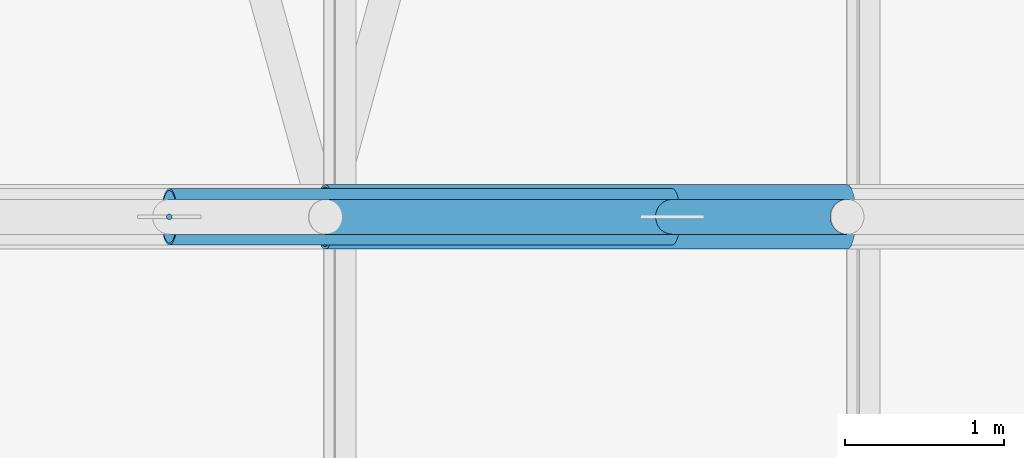
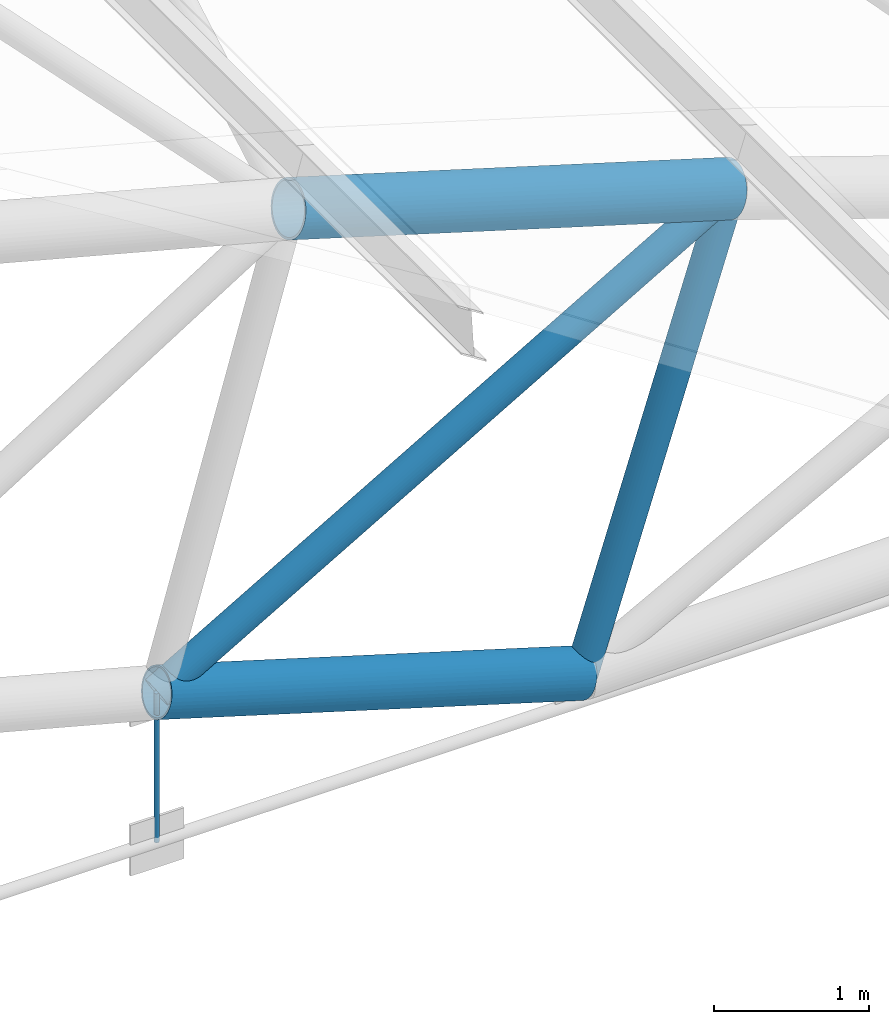
# One storey, part 186 of 321: 5 members.
"""IFC4 building model written with IfcOpenShell, lengths in metres."""

from ifc_helpers import new_model, si_unit, direction, frame, origin, origin_2d, place, context, subcontext, project, spatial, circle, hollow_circle, extrude, material, material_profile, profile_set, type_object, element, save


model = new_model("IFC4")

# Units and contexts
model_context = context("Model", 3, precision=1e-05, world=origin(), true_north=direction((0.0, 1.0)))
body_context = subcontext(model_context, "Body", "Model", "MODEL_VIEW")
ifc_project = project(units=[si_unit("LENGTHUNIT", "METRE"), si_unit("AREAUNIT", "SQUARE_METRE"), si_unit("VOLUMEUNIT", "CUBIC_METRE"), si_unit("PLANEANGLEUNIT", "RADIAN"), si_unit("MASSUNIT", "GRAM", prefix="KILO")], contexts=[model_context])

# Site, building, storey
site_placement = place(None, origin())
site = spatial("IfcSite", under=ifc_project, at=site_placement, CompositionType="ELEMENT")
building_placement = place(site_placement, origin())
building = spatial("IfcBuilding", under=site, at=building_placement, Name="Ravi Spectrum Wholesale Market", CompositionType="ELEMENT")
storey_placement = place(building_placement, frame((0.0, 0.0, 10.800048828125)))
storey = spatial("IfcBuildingStorey", under=building, at=storey_placement, Name="L02", CompositionType="ELEMENT", Elevation=10.800048828125)

# Members
ifc_material_1 = material(Name="Steel S355", Category="steel")
ifc_material_profile_1 = material_profile(ifc_material_1, hollow_circle(Radius=0.109619140625, WallThickness=0.008056640625, at=origin_2d()))
ifc_profile_set_1 = profile_set([ifc_material_profile_1], Name="Steel S355")
member_type_1 = type_object("IfcMemberType", Name="CHS 219.1x8 brace", PredefinedType="BRACE", material=ifc_profile_set_1)
member_1_placement = place(storey_placement, frame((100.380615234375, 150.0, 3.645263671875), z_axis=(-0.865160555252, 0.0, -0.501494978675), x_axis=(0.0, -1.0, 0.0)))
element("IfcMember", 1, at=member_1_placement, inside=storey, type_object=member_type_1, Name="H1-MB-L02-901", PredefinedType="BRACE", context=body_context, shape_type="SweptSolid", body=[
    extrude(hollow_circle(Radius=0.109619140625, WallThickness=0.008056640625, at=origin_2d()), origin(), (0.0, 0.0, 1.0), 4.9296875),
])
ifc_material_2 = material(Name="Steel S355", Category="steel")
ifc_material_profile_2 = material_profile(ifc_material_2, hollow_circle(Radius=0.109619140625, WallThickness=0.008056640625, at=origin_2d()))
ifc_profile_set_2 = profile_set([ifc_material_profile_2], Name="Steel S355")
member_type_2 = type_object("IfcMemberType", Name="CHS 219.1x8 post", PredefinedType="POST", material=ifc_profile_set_2)
member_2_placement = place(storey_placement, frame((100.380615234375, 150.0, 3.645263671875), z_axis=(-0.305506444581, 0.0, -0.952190008517), x_axis=(0.0, -1.0, 0.0)))
element("IfcMember", 2, at=member_2_placement, inside=storey, type_object=member_type_2, Name="H1-MB-L02-879", PredefinedType="POST", context=body_context, shape_type="SweptSolid", body=[
    extrude(hollow_circle(Radius=0.109619140625, WallThickness=0.008056640625, at=origin_2d()), origin(), (0.0, 0.0, 1.0), 3.60009765625),
])
ifc_material_3 = material(Name="Steel S355", Category="steel")
ifc_material_profile_3 = material_profile(ifc_material_3, hollow_circle(Radius=0.177734375, WallThickness=0.012451171875, at=origin_2d()))
ifc_profile_set_3 = profile_set([ifc_material_profile_3], Name="Steel S355")
member_type_3 = type_object("IfcMemberType", Name="CHS 355.6x12.5 chord", PredefinedType="CHORD", material=ifc_profile_set_3)
member_3_placement = place(storey_placement, frame((96.11572265625, 150.0, 1.173095703125), z_axis=(0.957300337613, 0.0, -0.289095250058), x_axis=(0.0, 1.0, 0.0)))
element("IfcMember", 3, at=member_3_placement, inside=storey, type_object=member_type_3, Name="H1-MB-L02-855", PredefinedType="CHORD", context=body_context, shape_type="SweptSolid", body=[
    extrude(hollow_circle(Radius=0.177734375, WallThickness=0.012451171875, at=origin_2d()), origin(), (0.0, 0.0, 1.0), 3.30615234375),
])
ifc_material_4 = material(Name="Steel S355", Category="steel")
ifc_material_profile_4 = material_profile(ifc_material_4, hollow_circle(Radius=0.203125, WallThickness=0.01611328125, at=origin_2d()))
ifc_profile_set_4 = profile_set([ifc_material_profile_4], Name="Steel S355")
member_type_4 = type_object("IfcMemberType", Name="CHS 406.4x16 chord", PredefinedType="CHORD", material=ifc_profile_set_4)
member_4_placement = place(storey_placement, frame((97.096923828125, 150.0, 4.63671875), z_axis=(0.957315448633, 0.0, -0.289045207204), x_axis=(0.0, 1.0, 0.0)))
element("IfcMember", 4, at=member_4_placement, inside=storey, type_object=member_type_4, Name="H1-MB-L02-831", PredefinedType="CHORD", context=body_context, shape_type="SweptSolid", body=[
    extrude(hollow_circle(Radius=0.203125, WallThickness=0.01611328125, at=origin_2d()), origin(), (0.0, 0.0, 1.0), 3.43017578125),
])
ifc_material_5 = material(Name="Steel S355", Category="steel")
ifc_material_profile_5 = material_profile(ifc_material_5, circle(Radius=0.01806640625, at=origin_2d()))
ifc_profile_set_5 = profile_set([ifc_material_profile_5], Name="Steel S355")
member_type_5 = type_object("IfcMemberType", Name="ROD 36 hanger", PredefinedType="STRUT", material=ifc_profile_set_5)
member_5_placement = place(storey_placement, frame((96.11572265625, 150.0, 0.0), z_axis=(0.0, 0.0, 1.0), x_axis=(1.0, 0.0, 0.0)))
element("IfcMember", 5, at=member_5_placement, inside=storey, type_object=member_type_5, Name="H1-MB-L02-909", PredefinedType="STRUT", context=body_context, shape_type="SweptSolid", body=[
    extrude(circle(Radius=0.01806640625, at=origin_2d()), origin(), (0.0, 0.0, 1.0), 1.173095703125),
])

save(model, "model.ifc")
